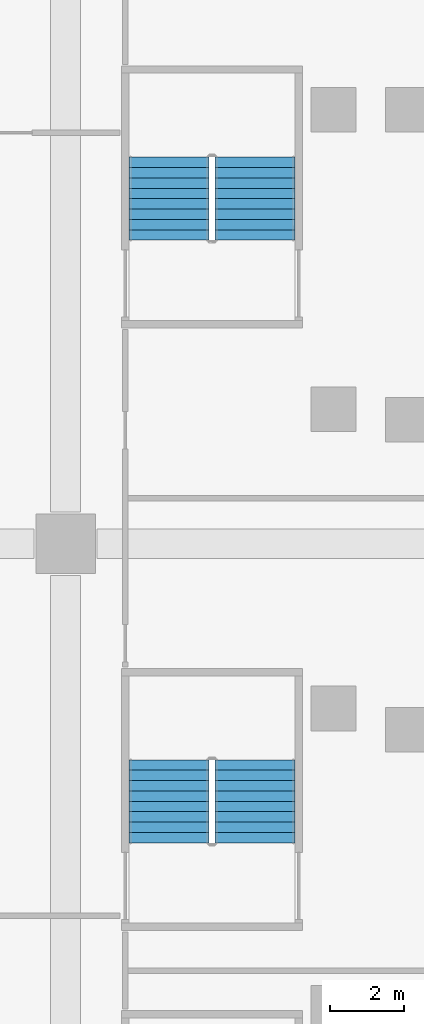
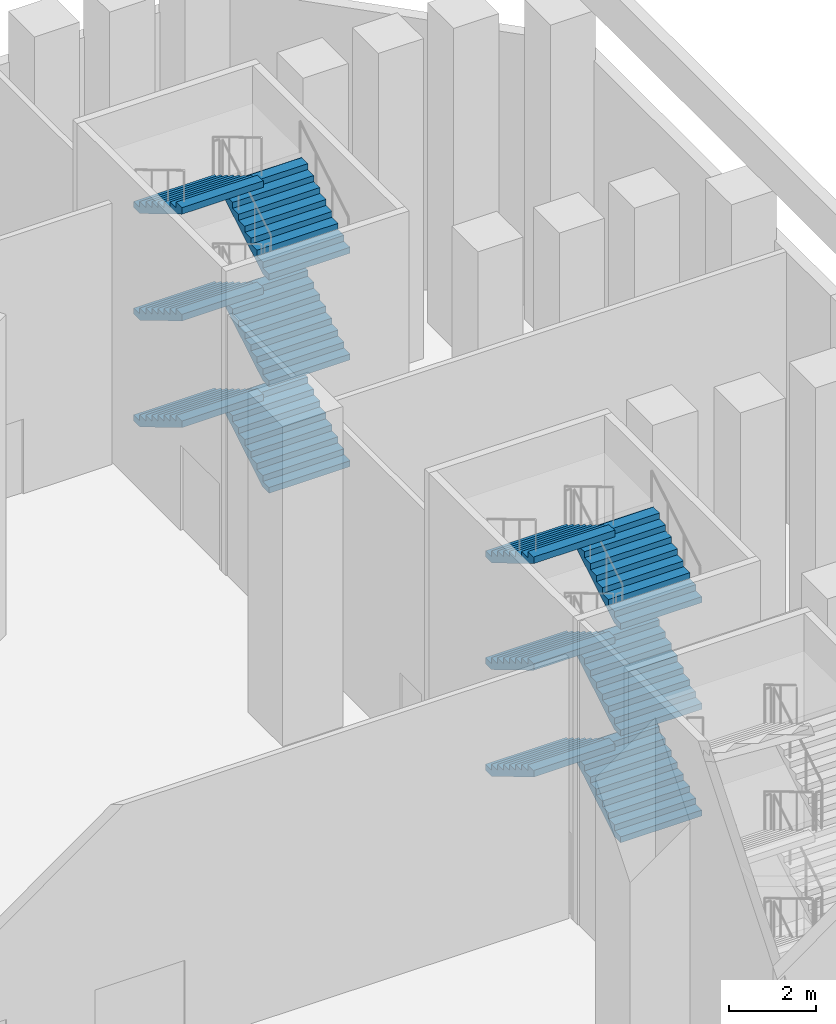
# One storey, part 16 of 25: 12 stair flights, 2 elements without a shape of their own.
"""IFC4 building model written with IfcOpenShell, lengths in metres."""

from ifc_helpers import new_model, si_unit, direction, frame, origin, place, context, subcontext, project, spatial, faceted_brep, source, transform, mapped, material, type_object, element, aggregate, save


model = new_model("IFC4")

# Units and contexts
model_context = context("Model", 3, precision=1e-05, world=origin(), true_north=direction((0.0, 1.0)))
body_context = subcontext(model_context, "Body", "Model", "MODEL_VIEW")
ifc_project = project(units=[si_unit("LENGTHUNIT", "METRE"), si_unit("AREAUNIT", "SQUARE_METRE"), si_unit("VOLUMEUNIT", "CUBIC_METRE"), si_unit("PLANEANGLEUNIT", "RADIAN"), si_unit("MASSUNIT", "GRAM", prefix="KILO")], contexts=[model_context])

# Site, building, storey
site_placement = place(None, origin())
site = spatial("IfcSite", under=ifc_project, at=site_placement, CompositionType="ELEMENT")
building_placement = place(site_placement, origin())
building = spatial("IfcBuilding", under=site, at=building_placement, Name="Calabash Gate Tower", CompositionType="ELEMENT")
storey_placement = place(building_placement, frame((0.0, 0.0, 20.0)))
storey = spatial("IfcBuildingStorey", under=building, at=storey_placement, Name="L02", CompositionType="ELEMENT", Elevation=20.0)

# Stair, stair flights
ifc_material_1 = material(Name="Concrete C40/50", Category="concrete")
stair_type = type_object("IfcStairType", Name="Public stair 54 risers of 166.7 mm", PredefinedType="HALF_TURN_STAIR", material=ifc_material_1)
stair_1_placement = place(storey_placement, origin())
stair_1 = element("IfcStair", 1, at=stair_1_placement, inside=storey, type_object=stair_type, Name="L02 Public Stair PS9", PredefinedType="HALF_TURN_STAIR")
ifc_material_2 = material(Name="Concrete C40/50", Category="concrete")
stair_flight_type = type_object("IfcStairFlightType", Name="Exit stair flight SFL", PredefinedType="STRAIGHT", material=ifc_material_2)
shared_shape = source(origin(), body_context, "Body", "Brep", [
    faceted_brep([(-0.0009765625, -1.080078125, 0.0), (0.292236328125, -1.080078125, 0.0), (2.23291015625, -1.080078125, 1.15869140625), (-0.0009765625, 1.080078125, 0.0), (2.23291015625, 1.080078125, 1.15869140625), (0.292236328125, 1.080078125, 0.0), (2.23291015625, -1.080078125, 1.34521484375), (2.23193359375, -1.080078125, 1.34521484375), (2.23193359375, 1.080078125, 1.34521484375), (2.23291015625, 1.080078125, 1.34521484375), (2.23193359375, -1.080078125, 1.333251953125), (2.23193359375, 1.080078125, 1.333251953125), (1.952880859375, -1.080078125, 1.333251953125), (1.952880859375, 1.080078125, 1.333251953125), (1.952880859375, -1.080078125, 1.166748046875), (1.952880859375, 1.080078125, 1.166748046875), (1.674072265625, -1.080078125, 1.166748046875), (1.674072265625, 1.080078125, 1.166748046875), (1.674072265625, -1.080078125, 1.0), (1.674072265625, 1.080078125, 1.0), (1.39501953125, -1.080078125, 1.0), (1.39501953125, -1.080078125, 0.833251953125), (1.39501953125, 1.080078125, 0.833251953125), (1.39501953125, 1.080078125, 1.0), (1.115966796875, -1.080078125, 0.833251953125), (1.115966796875, -1.080078125, 0.666748046875), (1.115966796875, 1.080078125, 0.666748046875), (1.115966796875, 1.080078125, 0.833251953125), (0.8369140625, -1.080078125, 0.666748046875), (0.8369140625, -1.080078125, 0.5), (0.8369140625, 1.080078125, 0.5), (0.8369140625, 1.080078125, 0.666748046875), (0.55810546875, -1.080078125, 0.5), (0.55810546875, -1.080078125, 0.333251953125), (0.55810546875, 1.080078125, 0.333251953125), (0.55810546875, 1.080078125, 0.5), (0.279052734375, -1.080078125, 0.333251953125), (0.279052734375, -1.080078125, 0.166748046875), (0.279052734375, 1.080078125, 0.166748046875), (0.279052734375, 1.080078125, 0.333251953125), (-0.0009765625, -1.080078125, 0.166748046875), (-0.0009765625, 1.080078125, 0.166748046875), (0.292236328125, -0.431884765625, 0.0), (2.23291015625, -0.431884765625, 1.15869140625), (0.292236328125, -0.345703125, 0.0), (2.23291015625, -0.345703125, 1.15869140625), (0.292236328125, -0.25927734375, 0.0), (2.23291015625, -0.25927734375, 1.15869140625), (0.292236328125, -0.1728515625, 0.0), (2.23291015625, -0.1728515625, 1.15869140625), (0.292236328125, -0.08642578125, 0.0), (2.23291015625, -0.08642578125, 1.15869140625), (0.292236328125, 0.0, 0.0), (2.23291015625, 0.0, 1.15869140625), (0.292236328125, 0.08642578125, 0.0), (2.23291015625, 0.08642578125, 1.15869140625), (0.292236328125, 0.1728515625, 0.0), (2.23291015625, 0.1728515625, 1.15869140625), (0.292236328125, 0.25927734375, 0.0), (2.23291015625, 0.25927734375, 1.15869140625), (0.292236328125, 0.345703125, 0.0), (2.23291015625, 0.345703125, 1.15869140625), (0.292236328125, 0.431884765625, 0.0), (2.23291015625, 0.431884765625, 1.15869140625), (2.23291015625, -0.431884765625, 1.34521484375), (2.23291015625, -0.345703125, 1.34521484375), (2.23291015625, -0.25927734375, 1.34521484375), (2.23291015625, -0.1728515625, 1.34521484375), (2.23291015625, -0.08642578125, 1.34521484375), (2.23291015625, 0.0, 1.34521484375), (2.23291015625, 0.08642578125, 1.34521484375), (2.23291015625, 0.1728515625, 1.34521484375), (2.23291015625, 0.25927734375, 1.34521484375), (2.23291015625, 0.345703125, 1.34521484375), (2.23291015625, 0.431884765625, 1.34521484375), (2.23193359375, -0.431884765625, 1.34521484375), (2.23193359375, -0.345703125, 1.34521484375), (2.23193359375, -0.25927734375, 1.34521484375), (2.23193359375, -0.1728515625, 1.34521484375), (2.23193359375, -0.08642578125, 1.34521484375), (2.23193359375, 0.0, 1.34521484375), (2.23193359375, 0.08642578125, 1.34521484375), (2.23193359375, 0.1728515625, 1.34521484375), (2.23193359375, 0.25927734375, 1.34521484375), (2.23193359375, 0.345703125, 1.34521484375), (2.23193359375, 0.431884765625, 1.34521484375), (2.23193359375, -0.431884765625, 1.333251953125), (2.23193359375, -0.345703125, 1.333251953125), (2.23193359375, -0.25927734375, 1.333251953125), (2.23193359375, -0.1728515625, 1.333251953125), (2.23193359375, -0.08642578125, 1.333251953125), (2.23193359375, 0.0, 1.333251953125), (2.23193359375, 0.08642578125, 1.333251953125), (2.23193359375, 0.1728515625, 1.333251953125), (2.23193359375, 0.25927734375, 1.333251953125), (2.23193359375, 0.345703125, 1.333251953125), (2.23193359375, 0.431884765625, 1.333251953125), (1.952880859375, -0.431884765625, 1.333251953125), (1.952880859375, -0.345703125, 1.333251953125), (1.952880859375, -0.25927734375, 1.333251953125), (1.952880859375, -0.1728515625, 1.333251953125), (1.952880859375, -0.08642578125, 1.333251953125), (1.952880859375, 0.0, 1.333251953125), (1.952880859375, 0.08642578125, 1.333251953125), (1.952880859375, 0.1728515625, 1.333251953125), (1.952880859375, 0.25927734375, 1.333251953125), (1.952880859375, 0.345703125, 1.333251953125), (1.952880859375, 0.431884765625, 1.333251953125), (1.952880859375, -0.431884765625, 1.166748046875), (1.952880859375, -0.345703125, 1.166748046875), (1.952880859375, -0.25927734375, 1.166748046875), (1.952880859375, -0.1728515625, 1.166748046875), (1.952880859375, -0.08642578125, 1.166748046875), (1.952880859375, 0.0, 1.166748046875), (1.952880859375, 0.08642578125, 1.166748046875), (1.952880859375, 0.1728515625, 1.166748046875), (1.952880859375, 0.25927734375, 1.166748046875), (1.952880859375, 0.345703125, 1.166748046875), (1.952880859375, 0.431884765625, 1.166748046875), (1.674072265625, -0.431884765625, 1.166748046875), (1.674072265625, -0.345703125, 1.166748046875), (1.674072265625, -0.25927734375, 1.166748046875), (1.674072265625, -0.1728515625, 1.166748046875), (1.674072265625, -0.08642578125, 1.166748046875), (1.674072265625, 0.0, 1.166748046875), (1.674072265625, 0.08642578125, 1.166748046875), (1.674072265625, 0.1728515625, 1.166748046875), (1.674072265625, 0.25927734375, 1.166748046875), (1.674072265625, 0.345703125, 1.166748046875), (1.674072265625, 0.431884765625, 1.166748046875), (1.674072265625, -0.431884765625, 1.0), (1.674072265625, -0.345703125, 1.0), (1.674072265625, -0.25927734375, 1.0), (1.674072265625, -0.1728515625, 1.0), (1.674072265625, -0.08642578125, 1.0), (1.674072265625, 0.0, 1.0), (1.674072265625, 0.08642578125, 1.0), (1.674072265625, 0.1728515625, 1.0), (1.674072265625, 0.25927734375, 1.0), (1.674072265625, 0.345703125, 1.0), (1.674072265625, 0.431884765625, 1.0), (1.39501953125, -0.431884765625, 1.0), (1.39501953125, -0.345703125, 1.0), (1.39501953125, -0.25927734375, 1.0), (1.39501953125, -0.1728515625, 1.0), (1.39501953125, -0.08642578125, 1.0), (1.39501953125, 0.0, 1.0), (1.39501953125, 0.08642578125, 1.0), (1.39501953125, 0.1728515625, 1.0), (1.39501953125, 0.25927734375, 1.0), (1.39501953125, 0.345703125, 1.0), (1.39501953125, 0.431884765625, 1.0), (1.39501953125, -0.431884765625, 0.833251953125), (1.39501953125, -0.345703125, 0.833251953125), (1.39501953125, -0.25927734375, 0.833251953125), (1.39501953125, -0.1728515625, 0.833251953125), (1.39501953125, -0.08642578125, 0.833251953125), (1.39501953125, 0.0, 0.833251953125), (1.39501953125, 0.08642578125, 0.833251953125), (1.39501953125, 0.1728515625, 0.833251953125), (1.39501953125, 0.25927734375, 0.833251953125), (1.39501953125, 0.345703125, 0.833251953125), (1.39501953125, 0.431884765625, 0.833251953125), (1.115966796875, -0.431884765625, 0.833251953125), (1.115966796875, -0.345703125, 0.833251953125), (1.115966796875, -0.25927734375, 0.833251953125), (1.115966796875, -0.1728515625, 0.833251953125), (1.115966796875, -0.08642578125, 0.833251953125), (1.115966796875, 0.0, 0.833251953125), (1.115966796875, 0.08642578125, 0.833251953125), (1.115966796875, 0.1728515625, 0.833251953125), (1.115966796875, 0.25927734375, 0.833251953125), (1.115966796875, 0.345703125, 0.833251953125), (1.115966796875, 0.431884765625, 0.833251953125), (1.115966796875, -0.431884765625, 0.666748046875), (1.115966796875, -0.345703125, 0.666748046875), (1.115966796875, -0.25927734375, 0.666748046875), (1.115966796875, -0.1728515625, 0.666748046875), (1.115966796875, -0.08642578125, 0.666748046875), (1.115966796875, 0.0, 0.666748046875), (1.115966796875, 0.08642578125, 0.666748046875), (1.115966796875, 0.1728515625, 0.666748046875), (1.115966796875, 0.25927734375, 0.666748046875), (1.115966796875, 0.345703125, 0.666748046875), (1.115966796875, 0.431884765625, 0.666748046875), (0.8369140625, -0.431884765625, 0.666748046875), (0.8369140625, -0.345703125, 0.666748046875), (0.8369140625, -0.25927734375, 0.666748046875), (0.8369140625, -0.1728515625, 0.666748046875), (0.8369140625, -0.08642578125, 0.666748046875), (0.8369140625, 0.0, 0.666748046875), (0.8369140625, 0.08642578125, 0.666748046875), (0.8369140625, 0.1728515625, 0.666748046875), (0.8369140625, 0.25927734375, 0.666748046875), (0.8369140625, 0.345703125, 0.666748046875), (0.8369140625, 0.431884765625, 0.666748046875), (0.8369140625, -0.431884765625, 0.5), (0.8369140625, -0.345703125, 0.5), (0.8369140625, -0.25927734375, 0.5), (0.8369140625, -0.1728515625, 0.5), (0.8369140625, -0.08642578125, 0.5), (0.8369140625, 0.0, 0.5), (0.8369140625, 0.08642578125, 0.5), (0.8369140625, 0.1728515625, 0.5), (0.8369140625, 0.25927734375, 0.5), (0.8369140625, 0.345703125, 0.5), (0.8369140625, 0.431884765625, 0.5), (0.55810546875, -0.431884765625, 0.5), (0.55810546875, -0.345703125, 0.5), (0.55810546875, -0.25927734375, 0.5), (0.55810546875, -0.1728515625, 0.5), (0.55810546875, -0.08642578125, 0.5), (0.55810546875, 0.0, 0.5), (0.55810546875, 0.08642578125, 0.5), (0.55810546875, 0.1728515625, 0.5), (0.55810546875, 0.25927734375, 0.5), (0.55810546875, 0.345703125, 0.5), (0.55810546875, 0.431884765625, 0.5), (0.55810546875, -0.431884765625, 0.333251953125), (0.55810546875, -0.345703125, 0.333251953125), (0.55810546875, -0.25927734375, 0.333251953125), (0.55810546875, -0.1728515625, 0.333251953125), (0.55810546875, -0.08642578125, 0.333251953125), (0.55810546875, 0.0, 0.333251953125), (0.55810546875, 0.08642578125, 0.333251953125), (0.55810546875, 0.1728515625, 0.333251953125), (0.55810546875, 0.25927734375, 0.333251953125), (0.55810546875, 0.345703125, 0.333251953125), (0.55810546875, 0.431884765625, 0.333251953125), (0.279052734375, -0.431884765625, 0.333251953125), (0.279052734375, -0.345703125, 0.333251953125), (0.279052734375, -0.25927734375, 0.333251953125), (0.279052734375, -0.1728515625, 0.333251953125), (0.279052734375, -0.08642578125, 0.333251953125), (0.279052734375, 0.0, 0.333251953125), (0.279052734375, 0.08642578125, 0.333251953125), (0.279052734375, 0.1728515625, 0.333251953125), (0.279052734375, 0.25927734375, 0.333251953125), (0.279052734375, 0.345703125, 0.333251953125), (0.279052734375, 0.431884765625, 0.333251953125), (0.279052734375, -0.431884765625, 0.166748046875), (0.279052734375, -0.345703125, 0.166748046875), (0.279052734375, -0.25927734375, 0.166748046875), (0.279052734375, -0.1728515625, 0.166748046875), (0.279052734375, -0.08642578125, 0.166748046875), (0.279052734375, 0.0, 0.166748046875), (0.279052734375, 0.08642578125, 0.166748046875), (0.279052734375, 0.1728515625, 0.166748046875), (0.279052734375, 0.25927734375, 0.166748046875), (0.279052734375, 0.345703125, 0.166748046875), (0.279052734375, 0.431884765625, 0.166748046875), (-0.0009765625, -0.431884765625, 0.166748046875), (-0.0009765625, -0.345703125, 0.166748046875), (-0.0009765625, -0.25927734375, 0.166748046875), (-0.0009765625, -0.1728515625, 0.166748046875), (-0.0009765625, -0.08642578125, 0.166748046875), (-0.0009765625, 0.0, 0.166748046875), (-0.0009765625, 0.08642578125, 0.166748046875), (-0.0009765625, 0.1728515625, 0.166748046875), (-0.0009765625, 0.25927734375, 0.166748046875), (-0.0009765625, 0.345703125, 0.166748046875), (-0.0009765625, 0.431884765625, 0.166748046875), (-0.0009765625, -0.431884765625, 0.0), (-0.0009765625, -0.345703125, 0.0), (-0.0009765625, -0.25927734375, 0.0), (-0.0009765625, -0.1728515625, 0.0), (-0.0009765625, -0.08642578125, 0.0), (-0.0009765625, 0.0, 0.0), (-0.0009765625, 0.08642578125, 0.0), (-0.0009765625, 0.1728515625, 0.0), (-0.0009765625, 0.25927734375, 0.0), (-0.0009765625, 0.345703125, 0.0), (-0.0009765625, 0.431884765625, 0.0)], [[[0, 1, 2]], [[3, 4, 5]], [[2, 6, 7]], [[4, 8, 9]], [[2, 7, 10]], [[4, 11, 8]], [[2, 10, 12]], [[4, 13, 11]], [[2, 12, 14]], [[4, 15, 13]], [[2, 14, 16]], [[4, 17, 15]], [[2, 16, 18]], [[4, 19, 17]], [[18, 20, 21]], [[19, 22, 23]], [[2, 18, 21]], [[4, 22, 19]], [[21, 24, 25]], [[22, 26, 27]], [[2, 21, 25]], [[4, 26, 22]], [[25, 28, 29]], [[26, 30, 31]], [[2, 25, 29]], [[4, 30, 26]], [[29, 32, 33]], [[30, 34, 35]], [[2, 29, 33]], [[4, 34, 30]], [[33, 36, 37]], [[34, 38, 39]], [[2, 33, 37]], [[4, 38, 34]], [[0, 2, 37]], [[3, 38, 4]], [[37, 40, 0]], [[38, 3, 41]], [[1, 42, 2]], [[42, 43, 2]], [[42, 44, 43]], [[44, 45, 43]], [[44, 46, 45]], [[46, 47, 45]], [[46, 48, 47]], [[48, 49, 47]], [[48, 50, 49]], [[50, 51, 49]], [[50, 52, 51]], [[52, 53, 51]], [[52, 54, 55]], [[52, 55, 53]], [[54, 56, 57]], [[54, 57, 55]], [[56, 58, 59]], [[56, 59, 57]], [[58, 60, 61]], [[58, 61, 59]], [[60, 62, 63]], [[60, 63, 61]], [[62, 5, 4]], [[62, 4, 63]], [[2, 43, 6]], [[43, 64, 6]], [[43, 45, 64]], [[45, 65, 64]], [[45, 47, 65]], [[47, 66, 65]], [[47, 49, 66]], [[49, 67, 66]], [[49, 51, 67]], [[51, 68, 67]], [[51, 53, 68]], [[53, 69, 68]], [[53, 55, 70]], [[53, 70, 69]], [[55, 57, 71]], [[55, 71, 70]], [[57, 59, 72]], [[57, 72, 71]], [[59, 61, 73]], [[59, 73, 72]], [[61, 63, 74]], [[61, 74, 73]], [[63, 4, 9]], [[63, 9, 74]], [[6, 64, 7]], [[64, 75, 7]], [[64, 65, 75]], [[65, 76, 75]], [[65, 66, 76]], [[66, 77, 76]], [[66, 67, 77]], [[67, 78, 77]], [[67, 68, 78]], [[68, 79, 78]], [[68, 69, 79]], [[69, 80, 79]], [[69, 70, 81]], [[69, 81, 80]], [[70, 71, 82]], [[70, 82, 81]], [[71, 72, 83]], [[71, 83, 82]], [[72, 73, 84]], [[72, 84, 83]], [[73, 74, 85]], [[73, 85, 84]], [[74, 9, 8]], [[74, 8, 85]], [[7, 75, 10]], [[75, 86, 10]], [[75, 76, 86]], [[76, 87, 86]], [[76, 77, 87]], [[77, 88, 87]], [[77, 78, 88]], [[78, 89, 88]], [[78, 79, 89]], [[79, 90, 89]], [[79, 80, 90]], [[80, 91, 90]], [[80, 81, 92]], [[80, 92, 91]], [[81, 82, 93]], [[81, 93, 92]], [[82, 83, 94]], [[82, 94, 93]], [[83, 84, 95]], [[83, 95, 94]], [[84, 85, 96]], [[84, 96, 95]], [[85, 8, 11]], [[85, 11, 96]], [[10, 86, 12]], [[86, 97, 12]], [[86, 87, 97]], [[87, 98, 97]], [[87, 88, 98]], [[88, 99, 98]], [[88, 89, 99]], [[89, 100, 99]], [[89, 90, 100]], [[90, 101, 100]], [[90, 91, 101]], [[91, 102, 101]], [[91, 92, 103]], [[91, 103, 102]], [[92, 93, 104]], [[92, 104, 103]], [[93, 94, 105]], [[93, 105, 104]], [[94, 95, 106]], [[94, 106, 105]], [[95, 96, 107]], [[95, 107, 106]], [[96, 11, 13]], [[96, 13, 107]], [[12, 97, 14]], [[97, 108, 14]], [[97, 98, 108]], [[98, 109, 108]], [[98, 99, 109]], [[99, 110, 109]], [[99, 100, 110]], [[100, 111, 110]], [[100, 101, 111]], [[101, 112, 111]], [[101, 102, 112]], [[102, 113, 112]], [[102, 103, 114]], [[102, 114, 113]], [[103, 104, 115]], [[103, 115, 114]], [[104, 105, 116]], [[104, 116, 115]], [[105, 106, 117]], [[105, 117, 116]], [[106, 107, 118]], [[106, 118, 117]], [[107, 13, 15]], [[107, 15, 118]], [[14, 108, 16]], [[108, 119, 16]], [[108, 109, 119]], [[109, 120, 119]], [[109, 110, 120]], [[110, 121, 120]], [[110, 111, 121]], [[111, 122, 121]], [[111, 112, 122]], [[112, 123, 122]], [[112, 113, 123]], [[113, 124, 123]], [[113, 114, 125]], [[113, 125, 124]], [[114, 115, 126]], [[114, 126, 125]], [[115, 116, 127]], [[115, 127, 126]], [[116, 117, 128]], [[116, 128, 127]], [[117, 118, 129]], [[117, 129, 128]], [[118, 15, 17]], [[118, 17, 129]], [[16, 119, 18]], [[119, 130, 18]], [[119, 120, 130]], [[120, 131, 130]], [[120, 121, 131]], [[121, 132, 131]], [[121, 122, 132]], [[122, 133, 132]], [[122, 123, 133]], [[123, 134, 133]], [[123, 124, 134]], [[124, 135, 134]], [[124, 125, 136]], [[124, 136, 135]], [[125, 126, 137]], [[125, 137, 136]], [[126, 127, 138]], [[126, 138, 137]], [[127, 128, 139]], [[127, 139, 138]], [[128, 129, 140]], [[128, 140, 139]], [[129, 17, 19]], [[129, 19, 140]], [[18, 130, 20]], [[130, 141, 20]], [[130, 131, 141]], [[131, 142, 141]], [[131, 132, 142]], [[132, 143, 142]], [[132, 133, 143]], [[133, 144, 143]], [[133, 134, 144]], [[134, 145, 144]], [[134, 135, 145]], [[135, 146, 145]], [[135, 136, 147]], [[135, 147, 146]], [[136, 137, 148]], [[136, 148, 147]], [[137, 138, 149]], [[137, 149, 148]], [[138, 139, 150]], [[138, 150, 149]], [[139, 140, 151]], [[139, 151, 150]], [[140, 19, 23]], [[140, 23, 151]], [[20, 141, 21]], [[141, 152, 21]], [[141, 142, 152]], [[142, 153, 152]], [[142, 143, 153]], [[143, 154, 153]], [[143, 144, 154]], [[144, 155, 154]], [[144, 145, 155]], [[145, 156, 155]], [[145, 146, 156]], [[146, 157, 156]], [[146, 147, 158]], [[146, 158, 157]], [[147, 148, 159]], [[147, 159, 158]], [[148, 149, 160]], [[148, 160, 159]], [[149, 150, 161]], [[149, 161, 160]], [[150, 151, 162]], [[150, 162, 161]], [[151, 23, 22]], [[151, 22, 162]], [[21, 152, 24]], [[152, 163, 24]], [[152, 153, 163]], [[153, 164, 163]], [[153, 154, 164]], [[154, 165, 164]], [[154, 155, 165]], [[155, 166, 165]], [[155, 156, 166]], [[156, 167, 166]], [[156, 157, 167]], [[157, 168, 167]], [[157, 158, 169]], [[157, 169, 168]], [[158, 159, 170]], [[158, 170, 169]], [[159, 160, 171]], [[159, 171, 170]], [[160, 161, 172]], [[160, 172, 171]], [[161, 162, 173]], [[161, 173, 172]], [[162, 22, 27]], [[162, 27, 173]], [[24, 163, 25]], [[163, 174, 25]], [[163, 164, 174]], [[164, 175, 174]], [[164, 165, 175]], [[165, 176, 175]], [[165, 166, 176]], [[166, 177, 176]], [[166, 167, 177]], [[167, 178, 177]], [[167, 168, 178]], [[168, 179, 178]], [[168, 169, 180]], [[168, 180, 179]], [[169, 170, 181]], [[169, 181, 180]], [[170, 171, 182]], [[170, 182, 181]], [[171, 172, 183]], [[171, 183, 182]], [[172, 173, 184]], [[172, 184, 183]], [[173, 27, 26]], [[173, 26, 184]], [[25, 174, 28]], [[174, 185, 28]], [[174, 175, 185]], [[175, 186, 185]], [[175, 176, 186]], [[176, 187, 186]], [[176, 177, 187]], [[177, 188, 187]], [[177, 178, 188]], [[178, 189, 188]], [[178, 179, 189]], [[179, 190, 189]], [[179, 180, 191]], [[179, 191, 190]], [[180, 181, 192]], [[180, 192, 191]], [[181, 182, 193]], [[181, 193, 192]], [[182, 183, 194]], [[182, 194, 193]], [[183, 184, 195]], [[183, 195, 194]], [[184, 26, 31]], [[184, 31, 195]], [[28, 185, 29]], [[185, 196, 29]], [[185, 186, 196]], [[186, 197, 196]], [[186, 187, 197]], [[187, 198, 197]], [[187, 188, 198]], [[188, 199, 198]], [[188, 189, 199]], [[189, 200, 199]], [[189, 190, 200]], [[190, 201, 200]], [[190, 191, 202]], [[190, 202, 201]], [[191, 192, 203]], [[191, 203, 202]], [[192, 193, 204]], [[192, 204, 203]], [[193, 194, 205]], [[193, 205, 204]], [[194, 195, 206]], [[194, 206, 205]], [[195, 31, 30]], [[195, 30, 206]], [[29, 196, 32]], [[196, 207, 32]], [[196, 197, 207]], [[197, 208, 207]], [[197, 198, 208]], [[198, 209, 208]], [[198, 199, 209]], [[199, 210, 209]], [[199, 200, 210]], [[200, 211, 210]], [[200, 201, 211]], [[201, 212, 211]], [[201, 202, 213]], [[201, 213, 212]], [[202, 203, 214]], [[202, 214, 213]], [[203, 204, 215]], [[203, 215, 214]], [[204, 205, 216]], [[204, 216, 215]], [[205, 206, 217]], [[205, 217, 216]], [[206, 30, 35]], [[206, 35, 217]], [[32, 207, 33]], [[207, 218, 33]], [[207, 208, 218]], [[208, 219, 218]], [[208, 209, 219]], [[209, 220, 219]], [[209, 210, 220]], [[210, 221, 220]], [[210, 211, 221]], [[211, 222, 221]], [[211, 212, 222]], [[212, 223, 222]], [[212, 213, 224]], [[212, 224, 223]], [[213, 214, 225]], [[213, 225, 224]], [[214, 215, 226]], [[214, 226, 225]], [[215, 216, 227]], [[215, 227, 226]], [[216, 217, 228]], [[216, 228, 227]], [[217, 35, 34]], [[217, 34, 228]], [[33, 218, 36]], [[218, 229, 36]], [[218, 219, 229]], [[219, 230, 229]], [[219, 220, 230]], [[220, 231, 230]], [[220, 221, 231]], [[221, 232, 231]], [[221, 222, 232]], [[222, 233, 232]], [[222, 223, 233]], [[223, 234, 233]], [[223, 224, 235]], [[223, 235, 234]], [[224, 225, 236]], [[224, 236, 235]], [[225, 226, 237]], [[225, 237, 236]], [[226, 227, 238]], [[226, 238, 237]], [[227, 228, 239]], [[227, 239, 238]], [[228, 34, 39]], [[228, 39, 239]], [[36, 229, 37]], [[229, 240, 37]], [[229, 230, 240]], [[230, 241, 240]], [[230, 231, 241]], [[231, 242, 241]], [[231, 232, 242]], [[232, 243, 242]], [[232, 233, 243]], [[233, 244, 243]], [[233, 234, 244]], [[234, 245, 244]], [[234, 235, 246]], [[234, 246, 245]], [[235, 236, 247]], [[235, 247, 246]], [[236, 237, 248]], [[236, 248, 247]], [[237, 238, 249]], [[237, 249, 248]], [[238, 239, 250]], [[238, 250, 249]], [[239, 39, 38]], [[239, 38, 250]], [[37, 240, 40]], [[240, 251, 40]], [[240, 241, 251]], [[241, 252, 251]], [[241, 242, 252]], [[242, 253, 252]], [[242, 243, 253]], [[243, 254, 253]], [[243, 244, 254]], [[244, 255, 254]], [[244, 245, 255]], [[245, 256, 255]], [[245, 246, 257]], [[245, 257, 256]], [[246, 247, 258]], [[246, 258, 257]], [[247, 248, 259]], [[247, 259, 258]], [[248, 249, 260]], [[248, 260, 259]], [[249, 250, 261]], [[249, 261, 260]], [[250, 38, 41]], [[250, 41, 261]], [[40, 251, 0]], [[251, 262, 0]], [[251, 252, 262]], [[252, 263, 262]], [[252, 253, 263]], [[253, 264, 263]], [[253, 254, 264]], [[254, 265, 264]], [[254, 255, 265]], [[255, 266, 265]], [[255, 256, 266]], [[256, 267, 266]], [[256, 257, 268]], [[256, 268, 267]], [[257, 258, 269]], [[257, 269, 268]], [[258, 259, 270]], [[258, 270, 269]], [[259, 260, 271]], [[259, 271, 270]], [[260, 261, 272]], [[260, 272, 271]], [[261, 41, 3]], [[261, 3, 272]], [[0, 262, 1]], [[262, 42, 1]], [[262, 263, 42]], [[263, 44, 42]], [[263, 264, 44]], [[264, 46, 44]], [[264, 265, 46]], [[265, 48, 46]], [[265, 266, 48]], [[266, 50, 48]], [[266, 267, 50]], [[267, 52, 50]], [[267, 268, 54]], [[267, 54, 52]], [[268, 269, 56]], [[268, 56, 54]], [[269, 270, 58]], [[269, 58, 56]], [[270, 271, 60]], [[270, 60, 58]], [[271, 272, 62]], [[271, 62, 60]], [[272, 3, 5]], [[272, 5, 62]]]),
])
stair_flight_1_placement = place(storey_placement, frame((37.090087890625, -0.0400390625, 0.0), z_axis=(0.0, 0.0, 1.0), x_axis=(0.0, 1.0, 0.0)))
stair_flight_1 = element("IfcStairFlight", 2, at=stair_flight_1_placement, type_object=stair_flight_type, Name="PS9 flight 1", NumberOfRisers=9, NumberOfTreads=8, PredefinedType="STRAIGHT", RiserHeight=0.166666667, TreadLength=0.279, context=body_context, shape_type="MappedRepresentation", body=[
    mapped(shared_shape, transform((0.0, 0.0, 0.0), scale=1.0)),
])
stair_flight_2_placement = place(storey_placement, frame((34.780029296875, 2.19189453125, 1.5), z_axis=(0.0, 0.0, 1.0), x_axis=(0.0, -1.0, 0.0)))
stair_flight_2 = element("IfcStairFlight", 3, at=stair_flight_2_placement, type_object=stair_flight_type, Name="PS9 flight 2", NumberOfRisers=9, NumberOfTreads=8, PredefinedType="STRAIGHT", RiserHeight=0.166666667, TreadLength=0.279, context=body_context, shape_type="MappedRepresentation", body=[
    mapped(shared_shape, transform((0.0, 0.0, 0.0), scale=1.0)),
])
stair_flight_3_placement = place(storey_placement, frame((37.090087890625, -0.0400390625, 3.0), z_axis=(0.0, 0.0, 1.0), x_axis=(0.0, 1.0, 0.0)))
stair_flight_3 = element("IfcStairFlight", 4, at=stair_flight_3_placement, type_object=stair_flight_type, Name="PS9 flight 3", NumberOfRisers=9, NumberOfTreads=8, PredefinedType="STRAIGHT", RiserHeight=0.166666667, TreadLength=0.279, context=body_context, shape_type="MappedRepresentation", body=[
    mapped(shared_shape, transform((0.0, 0.0, 0.0), scale=1.0)),
])
stair_flight_4_placement = place(storey_placement, frame((34.780029296875, 2.19189453125, 4.5), z_axis=(0.0, 0.0, 1.0), x_axis=(0.0, -1.0, 0.0)))
stair_flight_4 = element("IfcStairFlight", 5, at=stair_flight_4_placement, type_object=stair_flight_type, Name="PS9 flight 4", NumberOfRisers=9, NumberOfTreads=8, PredefinedType="STRAIGHT", RiserHeight=0.166666667, TreadLength=0.279, context=body_context, shape_type="MappedRepresentation", body=[
    mapped(shared_shape, transform((0.0, 0.0, 0.0), scale=1.0)),
])
stair_flight_5_placement = place(storey_placement, frame((37.090087890625, -0.0400390625, 6.0), z_axis=(0.0, 0.0, 1.0), x_axis=(0.0, 1.0, 0.0)))
stair_flight_5 = element("IfcStairFlight", 6, at=stair_flight_5_placement, type_object=stair_flight_type, Name="PS9 flight 5", NumberOfRisers=9, NumberOfTreads=8, PredefinedType="STRAIGHT", RiserHeight=0.166666667, TreadLength=0.279, context=body_context, shape_type="MappedRepresentation", body=[
    mapped(shared_shape, transform((0.0, 0.0, 0.0), scale=1.0)),
])
stair_flight_6_placement = place(storey_placement, frame((34.780029296875, 2.19189453125, 7.5), z_axis=(0.0, 0.0, 1.0), x_axis=(0.0, -1.0, 0.0)))
stair_flight_6 = element("IfcStairFlight", 7, at=stair_flight_6_placement, type_object=stair_flight_type, Name="PS9 flight 6", NumberOfRisers=9, NumberOfTreads=8, PredefinedType="STRAIGHT", RiserHeight=0.166666667, TreadLength=0.279, context=body_context, shape_type="MappedRepresentation", body=[
    mapped(shared_shape, transform((0.0, 0.0, 0.0), scale=1.0)),
])
aggregate(stair_1, [stair_flight_1, stair_flight_2, stair_flight_3, stair_flight_4, stair_flight_5, stair_flight_6])

stair_2_placement = place(storey_placement, origin())
stair_2 = element("IfcStair", 8, at=stair_2_placement, inside=storey, type_object=stair_type, Name="L02 Public Stair PS10", PredefinedType="HALF_TURN_STAIR")
stair_flight_7_placement = place(storey_placement, frame((37.090087890625, 16.159912109375, 0.0), z_axis=(0.0, 0.0, 1.0), x_axis=(0.0, 1.0, 0.0)))
stair_flight_7 = element("IfcStairFlight", 9, at=stair_flight_7_placement, type_object=stair_flight_type, Name="PS10 flight 1", NumberOfRisers=9, NumberOfTreads=8, PredefinedType="STRAIGHT", RiserHeight=0.166666667, TreadLength=0.279, context=body_context, shape_type="MappedRepresentation", body=[
    mapped(shared_shape, transform((0.0, 0.0, 0.0), scale=1.0)),
])
stair_flight_8_placement = place(storey_placement, frame((34.780029296875, 18.39208984375, 1.5), z_axis=(0.0, 0.0, 1.0), x_axis=(0.0, -1.0, 0.0)))
stair_flight_8 = element("IfcStairFlight", 10, at=stair_flight_8_placement, type_object=stair_flight_type, Name="PS10 flight 2", NumberOfRisers=9, NumberOfTreads=8, PredefinedType="STRAIGHT", RiserHeight=0.166666667, TreadLength=0.279, context=body_context, shape_type="MappedRepresentation", body=[
    mapped(shared_shape, transform((0.0, 0.0, 0.0), scale=1.0)),
])
stair_flight_9_placement = place(storey_placement, frame((37.090087890625, 16.159912109375, 3.0), z_axis=(0.0, 0.0, 1.0), x_axis=(0.0, 1.0, 0.0)))
stair_flight_9 = element("IfcStairFlight", 11, at=stair_flight_9_placement, type_object=stair_flight_type, Name="PS10 flight 3", NumberOfRisers=9, NumberOfTreads=8, PredefinedType="STRAIGHT", RiserHeight=0.166666667, TreadLength=0.279, context=body_context, shape_type="MappedRepresentation", body=[
    mapped(shared_shape, transform((0.0, 0.0, 0.0), scale=1.0)),
])
stair_flight_10_placement = place(storey_placement, frame((34.780029296875, 18.39208984375, 4.5), z_axis=(0.0, 0.0, 1.0), x_axis=(0.0, -1.0, 0.0)))
stair_flight_10 = element("IfcStairFlight", 12, at=stair_flight_10_placement, type_object=stair_flight_type, Name="PS10 flight 4", NumberOfRisers=9, NumberOfTreads=8, PredefinedType="STRAIGHT", RiserHeight=0.166666667, TreadLength=0.279, context=body_context, shape_type="MappedRepresentation", body=[
    mapped(shared_shape, transform((0.0, 0.0, 0.0), scale=1.0)),
])
stair_flight_11_placement = place(storey_placement, frame((37.090087890625, 16.159912109375, 6.0), z_axis=(0.0, 0.0, 1.0), x_axis=(0.0, 1.0, 0.0)))
stair_flight_11 = element("IfcStairFlight", 13, at=stair_flight_11_placement, type_object=stair_flight_type, Name="PS10 flight 5", NumberOfRisers=9, NumberOfTreads=8, PredefinedType="STRAIGHT", RiserHeight=0.166666667, TreadLength=0.279, context=body_context, shape_type="MappedRepresentation", body=[
    mapped(shared_shape, transform((0.0, 0.0, 0.0), scale=1.0)),
])
stair_flight_12_placement = place(storey_placement, frame((34.780029296875, 18.39208984375, 7.5), z_axis=(0.0, 0.0, 1.0), x_axis=(0.0, -1.0, 0.0)))
stair_flight_12 = element("IfcStairFlight", 14, at=stair_flight_12_placement, type_object=stair_flight_type, Name="PS10 flight 6", NumberOfRisers=9, NumberOfTreads=8, PredefinedType="STRAIGHT", RiserHeight=0.166666667, TreadLength=0.279, context=body_context, shape_type="MappedRepresentation", body=[
    mapped(shared_shape, transform((0.0, 0.0, 0.0), scale=1.0)),
])
aggregate(stair_2, [stair_flight_7, stair_flight_8, stair_flight_9, stair_flight_10, stair_flight_11, stair_flight_12])

save(model, "model.ifc")
